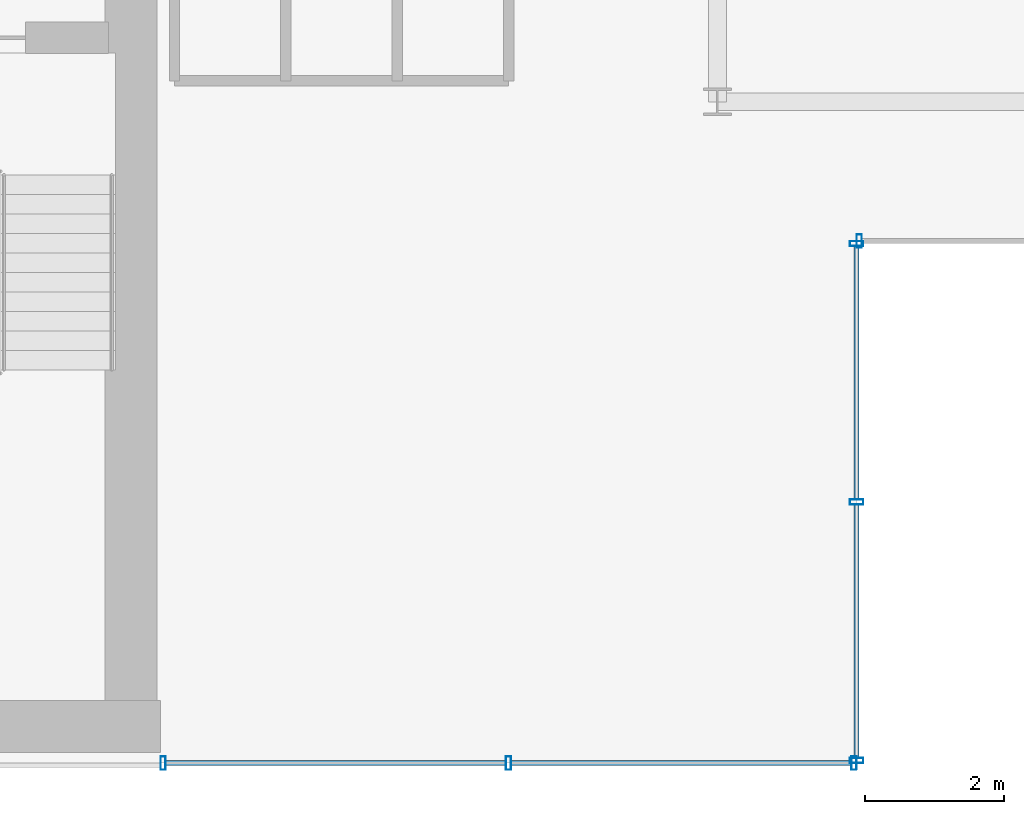
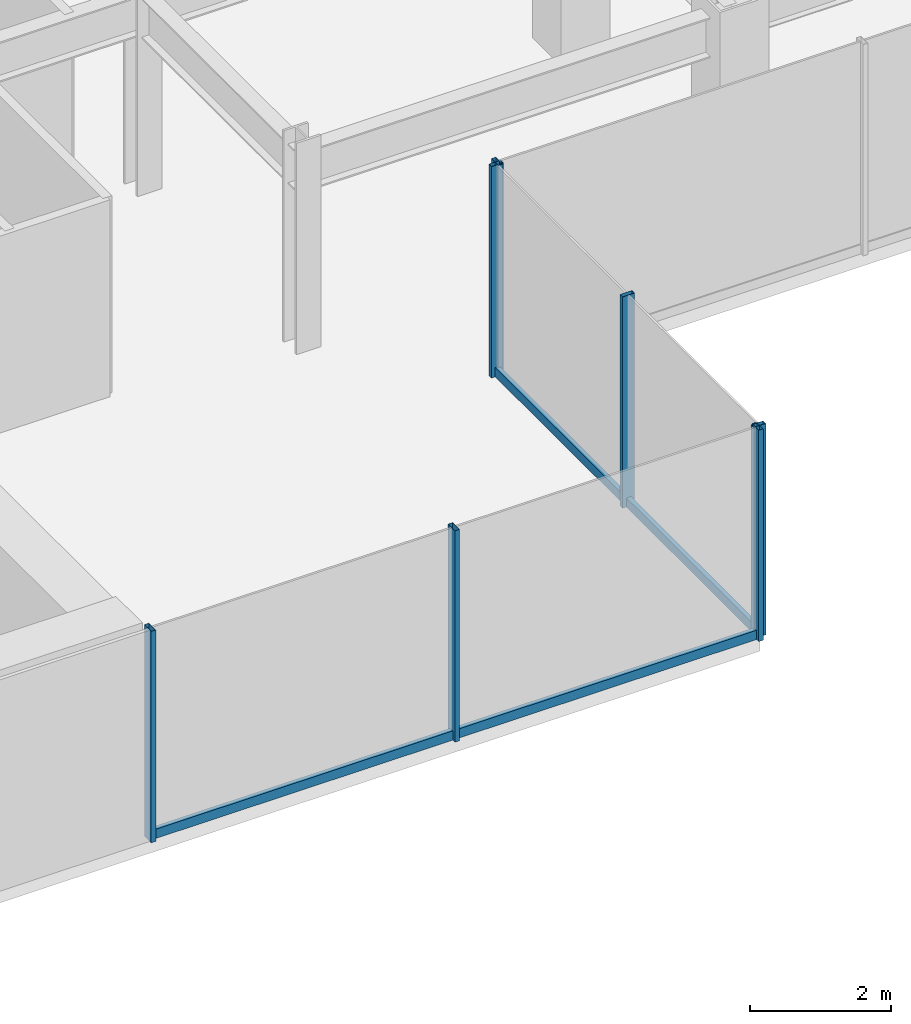
# One storey, part 8 of 26: 11 members, 3 elements without a shape of their own.
"""IFC4 building model written with IfcOpenShell, lengths in metres."""

from ifc_helpers import new_model, si_unit, derived_unit, direction, frame, origin, origin_2d, place, context, subcontext, project, spatial, hollow_rectangle, extrude, source, transform, mapped, material, material_profile, profile_set, type_object, element, aggregate, save


model = new_model("IFC4")

# Units and contexts
model_context = context("Model", 3, precision=1e-05, world=origin(), true_north=direction((0.0, 1.0)))
body_context = subcontext(model_context, "Body", "Model", "MODEL_VIEW")
ifc_project = project(units=[si_unit("LENGTHUNIT", "METRE"), si_unit("AREAUNIT", "SQUARE_METRE"), si_unit("VOLUMEUNIT", "CUBIC_METRE"), si_unit("PLANEANGLEUNIT", "RADIAN"), si_unit("MASSUNIT", "GRAM", prefix="KILO"), derived_unit("THERMALTRANSMITTANCEUNIT", [(si_unit("POWERUNIT", "WATT"), 1), (si_unit("LENGTHUNIT", "METRE"), -2), (si_unit("THERMODYNAMICTEMPERATUREUNIT", "KELVIN"), -1)])], contexts=[model_context])

# Site, building, storey
site_placement = place(None, origin())
site = spatial("IfcSite", under=ifc_project, at=site_placement, CompositionType="ELEMENT")
building_placement = place(site_placement, origin())
building = spatial("IfcBuilding", under=site, at=building_placement, Name="Skarnbrae Concourse Arena and Tower", CompositionType="ELEMENT")
storey_placement = place(building_placement, frame((0.0, 0.0, 95.949951171875)))
storey = spatial("IfcBuildingStorey", under=building, at=storey_placement, Name="L23", CompositionType="ELEMENT", Elevation=95.949951171875)

# Curtain wall, members
ifc_material = material(Name="Bronze anodised aluminium 6063-T6", Category="aluminium")
curtain_wall_type = type_object("IfcCurtainWallType", Name="CW-SYS-04-MIDZONE", PredefinedType="USERDEFINED", material=ifc_material)
curtain_wall_1_placement = place(storey_placement, origin())
curtain_wall_1 = element("IfcCurtainWall", 1, at=curtain_wall_1_placement, inside=storey, type_object=curtain_wall_type, Name="L23 Unitised curtain wall CW-L23-SE-SPINE", ObjectType="UNITISED CURTAIN WALL", PredefinedType="USERDEFINED")
ifc_material_profile_1 = material_profile(ifc_material, hollow_rectangle(XDim=0.074951171875, YDim=0.195068359375, WallThickness=0.00439453125, at=origin_2d()), Name="ALU-MULL-75X195")
ifc_profile_set_1 = profile_set([ifc_material_profile_1], Name="Bronze anodised aluminium 6063-T6")
member_type_1 = type_object("IfcMemberType", Name="CWM-CW-04", PredefinedType="MULLION", material=ifc_profile_set_1)
shared_shape_1 = source(origin(), body_context, "Body", "SweptSolid", [
    extrude(hollow_rectangle(XDim=0.074951171875, YDim=0.195068359375, WallThickness=0.00439453125, at=origin_2d()), origin(), (0.0, 0.0, 1.0), 3.650146484375),
])
member_1_placement = place(storey_placement, frame((34.03759765625, 0.0, 0.0), z_axis=(0.0, 0.0, 1.0), x_axis=(1.0, 0.0, 0.0)))
member_1 = element("IfcMember", 2, at=member_1_placement, type_object=member_type_1, Name="CW-L23-SE-SPINE Mullion 1", PredefinedType="MULLION", context=body_context, shape_type="MappedRepresentation", body=[
    mapped(shared_shape_1, transform((0.0, 0.0, 0.0))),
])
member_2_placement = place(storey_placement, frame((39.0, 0.0, 0.0), z_axis=(0.0, 0.0, 1.0), x_axis=(1.0, 0.0, 0.0)))
member_2 = element("IfcMember", 3, at=member_2_placement, type_object=member_type_1, Name="CW-L23-SE-SPINE Mullion 2", PredefinedType="MULLION", context=body_context, shape_type="MappedRepresentation", body=[
    mapped(shared_shape_1, transform((0.0, 0.0, 0.0))),
])
member_3_placement = place(storey_placement, frame((43.96240234375, 0.0, 0.0), z_axis=(0.0, 0.0, 1.0), x_axis=(1.0, 0.0, 0.0)))
member_3 = element("IfcMember", 4, at=member_3_placement, type_object=member_type_1, Name="CW-L23-SE-SPINE Mullion 3", PredefinedType="MULLION", context=body_context, shape_type="MappedRepresentation", body=[
    mapped(shared_shape_1, transform((0.0, 0.0, 0.0))),
])

curtain_wall_2_placement = place(storey_placement, origin())
curtain_wall_2 = element("IfcCurtainWall", 5, at=curtain_wall_2_placement, inside=storey, type_object=curtain_wall_type, Name="L23 Unitised curtain wall CW-L23-E02", ObjectType="UNITISED CURTAIN WALL", PredefinedType="USERDEFINED")
member_4_placement = place(storey_placement, frame((44.0, 0.03759765625, 0.0), z_axis=(0.0, 0.0, 1.0), x_axis=(0.0, 1.0, 0.0)))
member_4 = element("IfcMember", 6, at=member_4_placement, type_object=member_type_1, Name="CW-L23-E02 Mullion 1", PredefinedType="MULLION", context=body_context, shape_type="MappedRepresentation", body=[
    mapped(shared_shape_1, transform((0.0, 0.0, 0.0))),
])
member_5_placement = place(storey_placement, frame((44.0, 3.75, 0.0), z_axis=(0.0, 0.0, 1.0), x_axis=(0.0, 1.0, 0.0)))
member_5 = element("IfcMember", 7, at=member_5_placement, type_object=member_type_1, Name="CW-L23-E02 Mullion 2", PredefinedType="MULLION", context=body_context, shape_type="MappedRepresentation", body=[
    mapped(shared_shape_1, transform((0.0, 0.0, 0.0))),
])
member_6_placement = place(storey_placement, frame((44.0, 7.46240234375, 0.0), z_axis=(0.0, 0.0, 1.0), x_axis=(0.0, 1.0, 0.0)))
member_6 = element("IfcMember", 8, at=member_6_placement, type_object=member_type_1, Name="CW-L23-E02 Mullion 3", PredefinedType="MULLION", context=body_context, shape_type="MappedRepresentation", body=[
    mapped(shared_shape_1, transform((0.0, 0.0, 0.0))),
])

# Curtain wall, member
curtain_wall_3_placement = place(storey_placement, origin())
curtain_wall_3 = element("IfcCurtainWall", 9, at=curtain_wall_3_placement, inside=storey, type_object=curtain_wall_type, Name="L23 Unitised curtain wall CW-L23-E03", ObjectType="UNITISED CURTAIN WALL", PredefinedType="USERDEFINED")
member_7_placement = place(storey_placement, frame((44.03759765625, 7.5, 0.0), z_axis=(0.0, 0.0, 1.0), x_axis=(1.0, 0.0, 0.0)))
member_7 = element("IfcMember", 10, at=member_7_placement, type_object=member_type_1, Name="CW-L23-E03 Mullion 1", PredefinedType="MULLION", context=body_context, shape_type="MappedRepresentation", body=[
    mapped(shared_shape_1, transform((0.0, 0.0, 0.0))),
])
aggregate(curtain_wall_3, [member_7])

# Member
ifc_material_profile_2 = material_profile(ifc_material, hollow_rectangle(XDim=0.074951171875, YDim=0.159912109375, WallThickness=0.00439453125, at=origin_2d()), Name="ALU-TRAN-75X160")
ifc_profile_set_2 = profile_set([ifc_material_profile_2], Name="Bronze anodised aluminium 6063-T6")
member_type_2 = type_object("IfcMemberType", Name="CWT-CW-04", PredefinedType="USERDEFINED", material=ifc_profile_set_2)
shared_shape_2 = source(origin(), body_context, "Body", "SweptSolid", [
    extrude(hollow_rectangle(XDim=0.074951171875, YDim=0.159912109375, WallThickness=0.00439453125, at=origin_2d()), origin(), (0.0, 0.0, 1.0), 4.887451171875),
])
member_8_placement = place(storey_placement, frame((34.074951171875, 0.0, 0.080078125), z_axis=(1.0, 0.0, 0.0), x_axis=(0.0, 1.0, 0.0)))
member_8 = element("IfcMember", 11, at=member_8_placement, type_object=member_type_2, Name="CW-L23-SE-SPINE Transom 1", ObjectType="TRANSOM", PredefinedType="USERDEFINED", context=body_context, shape_type="MappedRepresentation", body=[
    mapped(shared_shape_2, transform((0.0, 0.0, 0.0))),
])

member_9_placement = place(storey_placement, frame((39.03759765625, 0.0, 0.080078125), z_axis=(1.0, 0.0, 0.0), x_axis=(0.0, 1.0, 0.0)))
member_9 = element("IfcMember", 12, at=member_9_placement, type_object=member_type_2, Name="CW-L23-SE-SPINE Transom 2", ObjectType="TRANSOM", PredefinedType="USERDEFINED", context=body_context, shape_type="MappedRepresentation", body=[
    mapped(shared_shape_2, transform((0.0, 0.0, 0.0))),
])

aggregate(curtain_wall_1, [member_1, member_2, member_3, member_8, member_9])

shared_shape_3 = source(origin(), body_context, "Body", "SweptSolid", [
    extrude(hollow_rectangle(XDim=0.074951171875, YDim=0.159912109375, WallThickness=0.00439453125, at=origin_2d()), origin(), (0.0, 0.0, 1.0), 3.637451171875),
])
member_10_placement = place(storey_placement, frame((44.0, 0.074951171875, 0.080078125), z_axis=(0.0, 1.0, 0.0), x_axis=(-1.0, 0.0, 0.0)))
member_10 = element("IfcMember", 13, at=member_10_placement, type_object=member_type_2, Name="CW-L23-E02 Transom 1", ObjectType="TRANSOM", PredefinedType="USERDEFINED", context=body_context, shape_type="MappedRepresentation", body=[
    mapped(shared_shape_3, transform((0.0, 0.0, 0.0))),
])

member_11_placement = place(storey_placement, frame((44.0, 3.78759765625, 0.080078125), z_axis=(0.0, 1.0, 0.0), x_axis=(-1.0, 0.0, 0.0)))
member_11 = element("IfcMember", 14, at=member_11_placement, type_object=member_type_2, Name="CW-L23-E02 Transom 2", ObjectType="TRANSOM", PredefinedType="USERDEFINED", context=body_context, shape_type="MappedRepresentation", body=[
    mapped(shared_shape_3, transform((0.0, 0.0, 0.0))),
])

aggregate(curtain_wall_2, [member_4, member_5, member_6, member_10, member_11])

save(model, "model.ifc")
